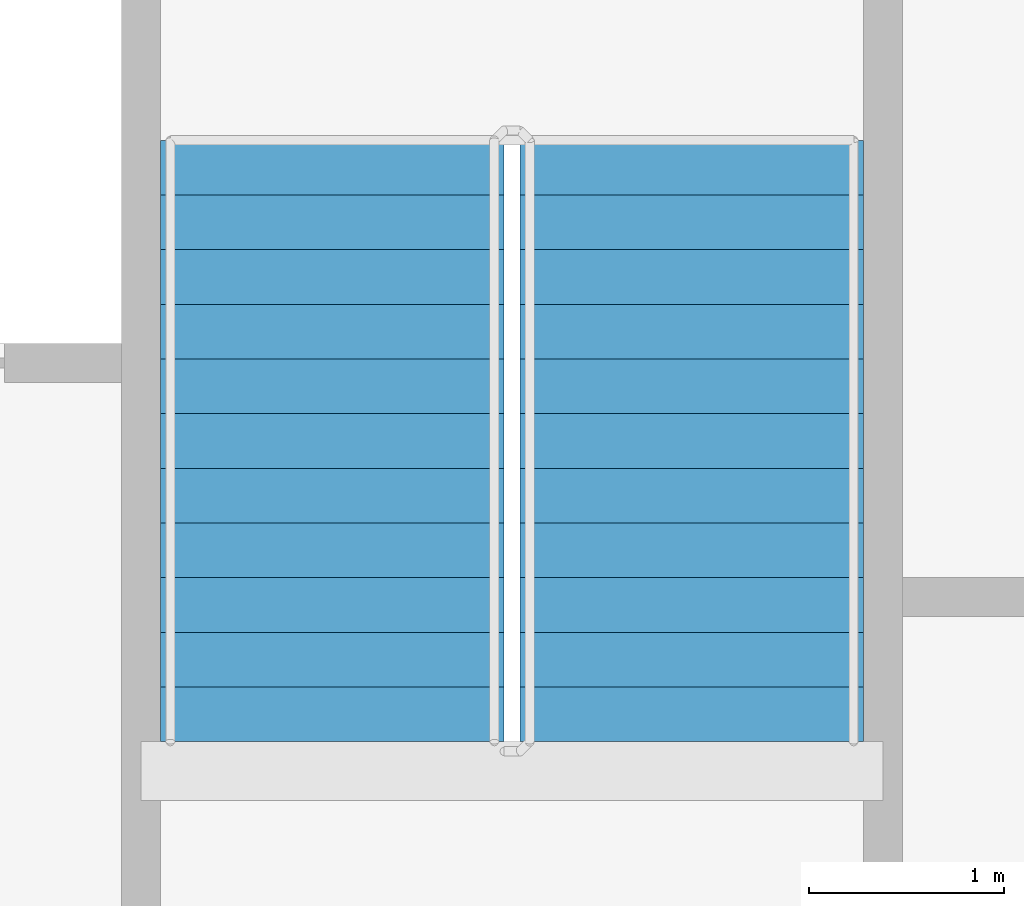
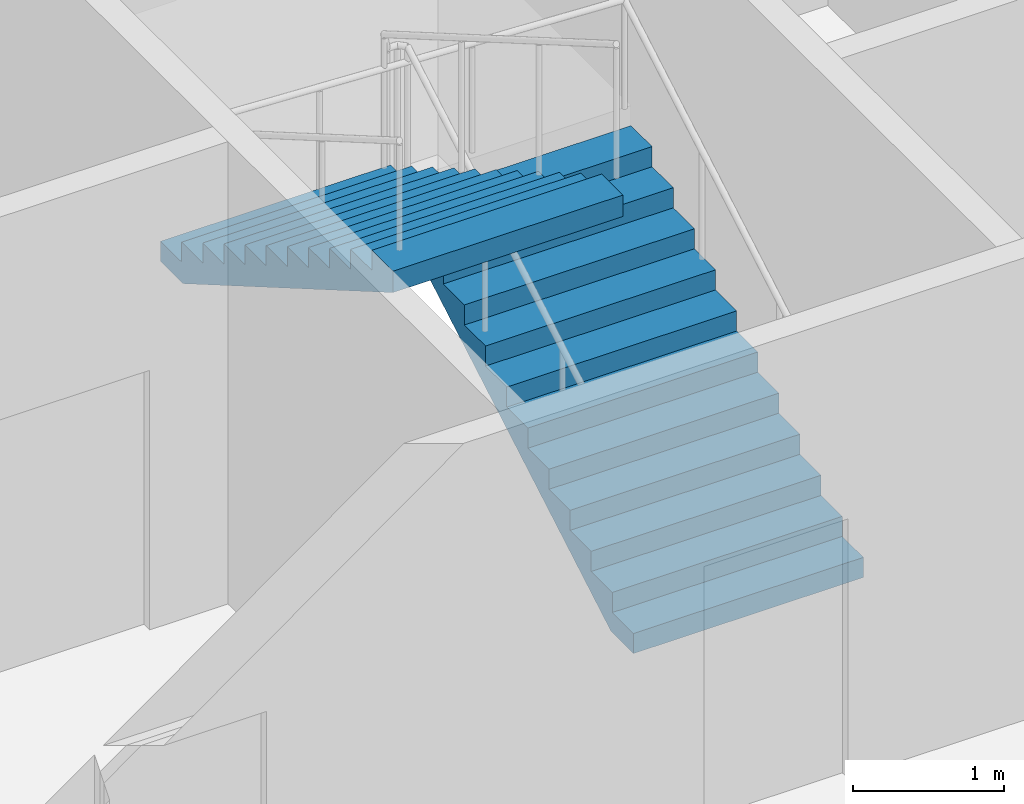
# One storey, part 10 of 15: 2 stair flights, 1 element without a shape of its own.
"""IFC4 building model written with IfcOpenShell, lengths in metres."""

from ifc_helpers import new_model, si_unit, direction, frame, origin, place, context, subcontext, project, spatial, faceted_brep, material, type_object, element, aggregate, save


model = new_model("IFC4")

# Units and contexts
model_context = context("Model", 3, precision=1e-05, world=origin(), true_north=direction((0.0, 1.0)))
body_context = subcontext(model_context, "Body", "Model", "MODEL_VIEW")
ifc_project = project(units=[si_unit("LENGTHUNIT", "METRE"), si_unit("AREAUNIT", "SQUARE_METRE"), si_unit("VOLUMEUNIT", "CUBIC_METRE"), si_unit("PLANEANGLEUNIT", "RADIAN"), si_unit("MASSUNIT", "GRAM", prefix="KILO")], contexts=[model_context])

# Site, building, storey
site_placement = place(None, origin())
site = spatial("IfcSite", under=ifc_project, at=site_placement, CompositionType="ELEMENT")
building_placement = place(site_placement, origin())
building = spatial("IfcBuilding", under=site, at=building_placement, Name="Tarsis Ring Headquarters", CompositionType="ELEMENT")
storey_placement = place(building_placement, frame((0.0, 0.0, 219.89990234375)))
storey = spatial("IfcBuildingStorey", under=building, at=storey_placement, Name="L51", CompositionType="ELEMENT", Elevation=219.89990234375)

# Stair, stair flights
ifc_material_1 = material(Name="Core stair 1760")
stair_type = type_object("IfcStairType", Name="Core stair 1760", PredefinedType="HALF_TURN_STAIR", material=ifc_material_1)
stair_placement = place(storey_placement, origin())
stair = element("IfcStair", 1, at=stair_placement, inside=storey, type_object=stair_type, Name="L51 Exit stair B", PredefinedType="HALF_TURN_STAIR")
ifc_material_2 = material(Name="Concrete C40/50", Category="concrete")
stair_flight_type = type_object("IfcStairFlightType", Name="Core stair flight 1760", PredefinedType="STRAIGHT", material=ifc_material_2)
stair_flight_1_placement = place(storey_placement, frame((5.419921875, 3.659912109375, 0.0), z_axis=(0.0, 0.0, 1.0), x_axis=(0.0, 1.0, 0.0)))
stair_flight_1 = element("IfcStairFlight", 2, at=stair_flight_1_placement, type_object=stair_flight_type, Name="Stair ST2 flight 1", NumberOfRisers=12, NumberOfTreads=11, PredefinedType="STRAIGHT", RiserHeight=0.1625, TreadLength=0.28, context=body_context, shape_type="Brep", body=[
    faceted_brep([(0.0, 0.8798828125, 0.0), (0.0, 0.8798828125, 0.16259765625), (0.280029296875, 0.8798828125, 0.16259765625), (0.280029296875, 0.8798828125, 0.324951171875), (0.56005859375, 0.8798828125, 0.324951171875), (0.56005859375, 0.8798828125, 0.487548828125), (0.840087890625, 0.8798828125, 0.487548828125), (0.840087890625, 0.8798828125, 0.64990234375), (1.1201171875, 0.8798828125, 0.64990234375), (1.1201171875, 0.8798828125, 0.8125), (1.39990234375, 0.8798828125, 0.8125), (1.39990234375, 0.8798828125, 0.97509765625), (1.679931640625, 0.8798828125, 0.97509765625), (1.679931640625, 0.8798828125, 1.137451171875), (1.9599609375, 0.8798828125, 1.137451171875), (1.9599609375, 0.8798828125, 1.300048828125), (2.239990234375, 0.8798828125, 1.300048828125), (2.239990234375, 0.8798828125, 1.46240234375), (2.52001953125, 0.8798828125, 1.46240234375), (2.52001953125, 0.8798828125, 1.625), (2.800048828125, 0.8798828125, 1.625), (2.800048828125, 0.8798828125, 1.78759765625), (3.080078125, 0.8798828125, 1.78759765625), (3.080078125, 0.8798828125, 1.6142578125), (0.298583984375, 0.8798828125, 0.0), (0.298583984375, -0.8798828125, 0.0), (3.080078125, -0.8798828125, 1.6142578125), (3.080078125, -0.8798828125, 1.78759765625), (2.800048828125, -0.8798828125, 1.78759765625), (2.800048828125, -0.8798828125, 1.625), (2.52001953125, -0.8798828125, 1.625), (2.52001953125, -0.8798828125, 1.46240234375), (2.239990234375, -0.8798828125, 1.46240234375), (2.239990234375, -0.8798828125, 1.300048828125), (1.9599609375, -0.8798828125, 1.300048828125), (1.9599609375, -0.8798828125, 1.137451171875), (1.679931640625, -0.8798828125, 1.137451171875), (1.679931640625, -0.8798828125, 0.97509765625), (1.39990234375, -0.8798828125, 0.97509765625), (1.39990234375, -0.8798828125, 0.8125), (1.1201171875, -0.8798828125, 0.8125), (1.1201171875, -0.8798828125, 0.64990234375), (0.840087890625, -0.8798828125, 0.64990234375), (0.840087890625, -0.8798828125, 0.487548828125), (0.56005859375, -0.8798828125, 0.487548828125), (0.56005859375, -0.8798828125, 0.324951171875), (0.280029296875, -0.8798828125, 0.324951171875), (0.280029296875, -0.8798828125, 0.16259765625), (0.0, -0.8798828125, 0.16259765625), (0.0, -0.8798828125, 0.0), (0.0, -0.43994140625, 0.16259765625), (0.0, -0.43994140625, 0.0), (0.0, 0.0, 0.16259765625), (0.0, 0.0, 0.0), (0.0, 0.43994140625, 0.16259765625), (0.0, 0.43994140625, 0.0), (0.280029296875, -0.43994140625, 0.16259765625), (0.280029296875, 0.0, 0.16259765625), (0.280029296875, 0.43994140625, 0.16259765625), (0.280029296875, -0.43994140625, 0.324951171875), (0.280029296875, 0.0, 0.324951171875), (0.280029296875, 0.43994140625, 0.324951171875), (0.56005859375, -0.43994140625, 0.324951171875), (0.56005859375, 0.0, 0.324951171875), (0.56005859375, 0.43994140625, 0.324951171875), (0.56005859375, -0.43994140625, 0.487548828125), (0.56005859375, 0.0, 0.487548828125), (0.56005859375, 0.43994140625, 0.487548828125), (0.840087890625, -0.43994140625, 0.487548828125), (0.840087890625, 0.0, 0.487548828125), (0.840087890625, 0.43994140625, 0.487548828125), (0.840087890625, -0.43994140625, 0.64990234375), (0.840087890625, 0.0, 0.64990234375), (0.840087890625, 0.43994140625, 0.64990234375), (1.1201171875, -0.43994140625, 0.64990234375), (1.1201171875, 0.0, 0.64990234375), (1.1201171875, 0.43994140625, 0.64990234375), (1.1201171875, -0.43994140625, 0.8125), (1.1201171875, 0.0, 0.8125), (1.1201171875, 0.43994140625, 0.8125), (1.39990234375, -0.43994140625, 0.8125), (1.39990234375, 0.0, 0.8125), (1.39990234375, 0.43994140625, 0.8125), (1.39990234375, -0.43994140625, 0.97509765625), (1.39990234375, 0.0, 0.97509765625), (1.39990234375, 0.43994140625, 0.97509765625), (1.679931640625, -0.43994140625, 0.97509765625), (1.679931640625, 0.0, 0.97509765625), (1.679931640625, 0.43994140625, 0.97509765625), (1.679931640625, -0.43994140625, 1.137451171875), (1.679931640625, 0.0, 1.137451171875), (1.679931640625, 0.43994140625, 1.137451171875), (1.9599609375, -0.43994140625, 1.137451171875), (1.9599609375, 0.0, 1.137451171875), (1.9599609375, 0.43994140625, 1.137451171875), (1.9599609375, -0.43994140625, 1.300048828125), (1.9599609375, 0.0, 1.300048828125), (1.9599609375, 0.43994140625, 1.300048828125), (2.239990234375, -0.43994140625, 1.300048828125), (2.239990234375, 0.0, 1.300048828125), (2.239990234375, 0.43994140625, 1.300048828125), (2.239990234375, -0.43994140625, 1.46240234375), (2.239990234375, 0.0, 1.46240234375), (2.239990234375, 0.43994140625, 1.46240234375), (2.52001953125, -0.43994140625, 1.46240234375), (2.52001953125, 0.0, 1.46240234375), (2.52001953125, 0.43994140625, 1.46240234375), (2.52001953125, -0.43994140625, 1.625), (2.52001953125, 0.0, 1.625), (2.52001953125, 0.43994140625, 1.625), (2.800048828125, -0.43994140625, 1.625), (2.800048828125, 0.0, 1.625), (2.800048828125, 0.43994140625, 1.625), (2.800048828125, -0.43994140625, 1.78759765625), (2.800048828125, 0.0, 1.78759765625), (2.800048828125, 0.43994140625, 1.78759765625), (3.080078125, -0.43994140625, 1.78759765625), (3.080078125, 0.0, 1.78759765625), (3.080078125, 0.43994140625, 1.78759765625), (3.080078125, -0.43994140625, 1.6142578125), (3.080078125, 0.0, 1.6142578125), (3.080078125, 0.43994140625, 1.6142578125), (0.298583984375, -0.43994140625, 0.0), (0.298583984375, 0.0, 0.0), (0.298583984375, 0.43994140625, 0.0)], [[[0, 1, 2, 3, 4, 5, 6, 7, 8, 9, 10, 11, 12, 13, 14, 15, 16, 17, 18, 19, 20, 21, 22, 23, 24]], [[25, 26, 27, 28, 29, 30, 31, 32, 33, 34, 35, 36, 37, 38, 39, 40, 41, 42, 43, 44, 45, 46, 47, 48, 49]], [[49, 48, 50, 51]], [[51, 50, 52, 53]], [[53, 52, 54, 55]], [[55, 54, 1, 0]], [[48, 47, 56, 50]], [[50, 56, 57, 52]], [[52, 57, 58, 54]], [[54, 58, 2, 1]], [[47, 46, 59, 56]], [[56, 59, 60, 57]], [[57, 60, 61, 58]], [[58, 61, 3, 2]], [[46, 45, 62, 59]], [[59, 62, 63, 60]], [[60, 63, 64, 61]], [[61, 64, 4, 3]], [[45, 44, 65, 62]], [[62, 65, 66, 63]], [[63, 66, 67, 64]], [[64, 67, 5, 4]], [[44, 43, 68, 65]], [[65, 68, 69, 66]], [[66, 69, 70, 67]], [[67, 70, 6, 5]], [[43, 42, 71, 68]], [[68, 71, 72, 69]], [[69, 72, 73, 70]], [[70, 73, 7, 6]], [[42, 41, 74, 71]], [[71, 74, 75, 72]], [[72, 75, 76, 73]], [[73, 76, 8, 7]], [[41, 40, 77, 74]], [[74, 77, 78, 75]], [[75, 78, 79, 76]], [[76, 79, 9, 8]], [[40, 39, 80, 77]], [[77, 80, 81, 78]], [[78, 81, 82, 79]], [[79, 82, 10, 9]], [[39, 38, 83, 80]], [[80, 83, 84, 81]], [[81, 84, 85, 82]], [[82, 85, 11, 10]], [[38, 37, 86, 83]], [[83, 86, 87, 84]], [[84, 87, 88, 85]], [[85, 88, 12, 11]], [[37, 36, 89, 86]], [[86, 89, 90, 87]], [[87, 90, 91, 88]], [[88, 91, 13, 12]], [[36, 35, 92, 89]], [[89, 92, 93, 90]], [[90, 93, 94, 91]], [[91, 94, 14, 13]], [[35, 34, 95, 92]], [[92, 95, 96, 93]], [[93, 96, 97, 94]], [[94, 97, 15, 14]], [[34, 33, 98, 95]], [[95, 98, 99, 96]], [[96, 99, 100, 97]], [[97, 100, 16, 15]], [[33, 32, 101, 98]], [[98, 101, 102, 99]], [[99, 102, 103, 100]], [[100, 103, 17, 16]], [[32, 31, 104, 101]], [[101, 104, 105, 102]], [[102, 105, 106, 103]], [[103, 106, 18, 17]], [[31, 30, 107, 104]], [[104, 107, 108, 105]], [[105, 108, 109, 106]], [[106, 109, 19, 18]], [[30, 29, 110, 107]], [[107, 110, 111, 108]], [[108, 111, 112, 109]], [[109, 112, 20, 19]], [[29, 28, 113, 110]], [[110, 113, 114, 111]], [[111, 114, 115, 112]], [[112, 115, 21, 20]], [[28, 27, 116, 113]], [[113, 116, 117, 114]], [[114, 117, 118, 115]], [[115, 118, 22, 21]], [[27, 26, 119, 116]], [[116, 119, 120, 117]], [[117, 120, 121, 118]], [[118, 121, 23, 22]], [[26, 25, 122, 119]], [[119, 122, 123, 120]], [[120, 123, 124, 121]], [[121, 124, 24, 23]], [[25, 49, 51, 122]], [[122, 51, 53, 123]], [[123, 53, 55, 124]], [[124, 55, 0, 24]]]),
])
stair_flight_2_placement = place(storey_placement, frame((3.580078125, 6.739990234375, 1.9501953125), z_axis=(0.0, 0.0, 1.0), x_axis=(0.0, -1.0, 0.0)))
stair_flight_2 = element("IfcStairFlight", 3, at=stair_flight_2_placement, type_object=stair_flight_type, Name="Stair ST2 flight 2", NumberOfRisers=12, NumberOfTreads=11, PredefinedType="STRAIGHT", RiserHeight=0.1625, TreadLength=0.28, context=body_context, shape_type="Brep", body=[
    faceted_brep([(0.0, 0.8798828125, 0.0), (0.0, 0.8798828125, 0.16259765625), (0.280029296875, 0.8798828125, 0.16259765625), (0.280029296875, 0.8798828125, 0.324951171875), (0.56005859375, 0.8798828125, 0.324951171875), (0.56005859375, 0.8798828125, 0.487548828125), (0.840087890625, 0.8798828125, 0.487548828125), (0.840087890625, 0.8798828125, 0.64990234375), (1.1201171875, 0.8798828125, 0.64990234375), (1.1201171875, 0.8798828125, 0.8125), (1.39990234375, 0.8798828125, 0.8125), (1.39990234375, 0.8798828125, 0.97509765625), (1.679931640625, 0.8798828125, 0.97509765625), (1.679931640625, 0.8798828125, 1.137451171875), (1.9599609375, 0.8798828125, 1.137451171875), (1.9599609375, 0.8798828125, 1.300048828125), (2.239990234375, 0.8798828125, 1.300048828125), (2.239990234375, 0.8798828125, 1.46240234375), (2.52001953125, 0.8798828125, 1.46240234375), (2.52001953125, 0.8798828125, 1.625), (2.800048828125, 0.8798828125, 1.625), (2.800048828125, 0.8798828125, 1.78759765625), (3.080078125, 0.8798828125, 1.78759765625), (3.080078125, 0.8798828125, 1.6142578125), (0.298583984375, 0.8798828125, 0.0), (0.298583984375, -0.8798828125, 0.0), (3.080078125, -0.8798828125, 1.6142578125), (3.080078125, -0.8798828125, 1.78759765625), (2.800048828125, -0.8798828125, 1.78759765625), (2.800048828125, -0.8798828125, 1.625), (2.52001953125, -0.8798828125, 1.625), (2.52001953125, -0.8798828125, 1.46240234375), (2.239990234375, -0.8798828125, 1.46240234375), (2.239990234375, -0.8798828125, 1.300048828125), (1.9599609375, -0.8798828125, 1.300048828125), (1.9599609375, -0.8798828125, 1.137451171875), (1.679931640625, -0.8798828125, 1.137451171875), (1.679931640625, -0.8798828125, 0.97509765625), (1.39990234375, -0.8798828125, 0.97509765625), (1.39990234375, -0.8798828125, 0.8125), (1.1201171875, -0.8798828125, 0.8125), (1.1201171875, -0.8798828125, 0.64990234375), (0.840087890625, -0.8798828125, 0.64990234375), (0.840087890625, -0.8798828125, 0.487548828125), (0.56005859375, -0.8798828125, 0.487548828125), (0.56005859375, -0.8798828125, 0.324951171875), (0.280029296875, -0.8798828125, 0.324951171875), (0.280029296875, -0.8798828125, 0.16259765625), (0.0, -0.8798828125, 0.16259765625), (0.0, -0.8798828125, 0.0), (0.0, -0.43994140625, 0.16259765625), (0.0, -0.43994140625, 0.0), (0.0, 0.0, 0.16259765625), (0.0, 0.0, 0.0), (0.0, 0.43994140625, 0.16259765625), (0.0, 0.43994140625, 0.0), (0.280029296875, -0.43994140625, 0.16259765625), (0.280029296875, 0.0, 0.16259765625), (0.280029296875, 0.43994140625, 0.16259765625), (0.280029296875, -0.43994140625, 0.324951171875), (0.280029296875, 0.0, 0.324951171875), (0.280029296875, 0.43994140625, 0.324951171875), (0.56005859375, -0.43994140625, 0.324951171875), (0.56005859375, 0.0, 0.324951171875), (0.56005859375, 0.43994140625, 0.324951171875), (0.56005859375, -0.43994140625, 0.487548828125), (0.56005859375, 0.0, 0.487548828125), (0.56005859375, 0.43994140625, 0.487548828125), (0.840087890625, -0.43994140625, 0.487548828125), (0.840087890625, 0.0, 0.487548828125), (0.840087890625, 0.43994140625, 0.487548828125), (0.840087890625, -0.43994140625, 0.64990234375), (0.840087890625, 0.0, 0.64990234375), (0.840087890625, 0.43994140625, 0.64990234375), (1.1201171875, -0.43994140625, 0.64990234375), (1.1201171875, 0.0, 0.64990234375), (1.1201171875, 0.43994140625, 0.64990234375), (1.1201171875, -0.43994140625, 0.8125), (1.1201171875, 0.0, 0.8125), (1.1201171875, 0.43994140625, 0.8125), (1.39990234375, -0.43994140625, 0.8125), (1.39990234375, 0.0, 0.8125), (1.39990234375, 0.43994140625, 0.8125), (1.39990234375, -0.43994140625, 0.97509765625), (1.39990234375, 0.0, 0.97509765625), (1.39990234375, 0.43994140625, 0.97509765625), (1.679931640625, -0.43994140625, 0.97509765625), (1.679931640625, 0.0, 0.97509765625), (1.679931640625, 0.43994140625, 0.97509765625), (1.679931640625, -0.43994140625, 1.137451171875), (1.679931640625, 0.0, 1.137451171875), (1.679931640625, 0.43994140625, 1.137451171875), (1.9599609375, -0.43994140625, 1.137451171875), (1.9599609375, 0.0, 1.137451171875), (1.9599609375, 0.43994140625, 1.137451171875), (1.9599609375, -0.43994140625, 1.300048828125), (1.9599609375, 0.0, 1.300048828125), (1.9599609375, 0.43994140625, 1.300048828125), (2.239990234375, -0.43994140625, 1.300048828125), (2.239990234375, 0.0, 1.300048828125), (2.239990234375, 0.43994140625, 1.300048828125), (2.239990234375, -0.43994140625, 1.46240234375), (2.239990234375, 0.0, 1.46240234375), (2.239990234375, 0.43994140625, 1.46240234375), (2.52001953125, -0.43994140625, 1.46240234375), (2.52001953125, 0.0, 1.46240234375), (2.52001953125, 0.43994140625, 1.46240234375), (2.52001953125, -0.43994140625, 1.625), (2.52001953125, 0.0, 1.625), (2.52001953125, 0.43994140625, 1.625), (2.800048828125, -0.43994140625, 1.625), (2.800048828125, 0.0, 1.625), (2.800048828125, 0.43994140625, 1.625), (2.800048828125, -0.43994140625, 1.78759765625), (2.800048828125, 0.0, 1.78759765625), (2.800048828125, 0.43994140625, 1.78759765625), (3.080078125, -0.43994140625, 1.78759765625), (3.080078125, 0.0, 1.78759765625), (3.080078125, 0.43994140625, 1.78759765625), (3.080078125, -0.43994140625, 1.6142578125), (3.080078125, 0.0, 1.6142578125), (3.080078125, 0.43994140625, 1.6142578125), (0.298583984375, -0.43994140625, 0.0), (0.298583984375, 0.0, 0.0), (0.298583984375, 0.43994140625, 0.0)], [[[0, 1, 2, 3, 4, 5, 6, 7, 8, 9, 10, 11, 12, 13, 14, 15, 16, 17, 18, 19, 20, 21, 22, 23, 24]], [[25, 26, 27, 28, 29, 30, 31, 32, 33, 34, 35, 36, 37, 38, 39, 40, 41, 42, 43, 44, 45, 46, 47, 48, 49]], [[49, 48, 50, 51]], [[51, 50, 52, 53]], [[53, 52, 54, 55]], [[55, 54, 1, 0]], [[48, 47, 56, 50]], [[50, 56, 57, 52]], [[52, 57, 58, 54]], [[54, 58, 2, 1]], [[47, 46, 59, 56]], [[56, 59, 60, 57]], [[57, 60, 61, 58]], [[58, 61, 3, 2]], [[46, 45, 62, 59]], [[59, 62, 63, 60]], [[60, 63, 64, 61]], [[61, 64, 4, 3]], [[45, 44, 65, 62]], [[62, 65, 66, 63]], [[63, 66, 67, 64]], [[64, 67, 5, 4]], [[44, 43, 68, 65]], [[65, 68, 69, 66]], [[66, 69, 70, 67]], [[67, 70, 6, 5]], [[43, 42, 71, 68]], [[68, 71, 72, 69]], [[69, 72, 73, 70]], [[70, 73, 7, 6]], [[42, 41, 74, 71]], [[71, 74, 75, 72]], [[72, 75, 76, 73]], [[73, 76, 8, 7]], [[41, 40, 77, 74]], [[74, 77, 78, 75]], [[75, 78, 79, 76]], [[76, 79, 9, 8]], [[40, 39, 80, 77]], [[77, 80, 81, 78]], [[78, 81, 82, 79]], [[79, 82, 10, 9]], [[39, 38, 83, 80]], [[80, 83, 84, 81]], [[81, 84, 85, 82]], [[82, 85, 11, 10]], [[38, 37, 86, 83]], [[83, 86, 87, 84]], [[84, 87, 88, 85]], [[85, 88, 12, 11]], [[37, 36, 89, 86]], [[86, 89, 90, 87]], [[87, 90, 91, 88]], [[88, 91, 13, 12]], [[36, 35, 92, 89]], [[89, 92, 93, 90]], [[90, 93, 94, 91]], [[91, 94, 14, 13]], [[35, 34, 95, 92]], [[92, 95, 96, 93]], [[93, 96, 97, 94]], [[94, 97, 15, 14]], [[34, 33, 98, 95]], [[95, 98, 99, 96]], [[96, 99, 100, 97]], [[97, 100, 16, 15]], [[33, 32, 101, 98]], [[98, 101, 102, 99]], [[99, 102, 103, 100]], [[100, 103, 17, 16]], [[32, 31, 104, 101]], [[101, 104, 105, 102]], [[102, 105, 106, 103]], [[103, 106, 18, 17]], [[31, 30, 107, 104]], [[104, 107, 108, 105]], [[105, 108, 109, 106]], [[106, 109, 19, 18]], [[30, 29, 110, 107]], [[107, 110, 111, 108]], [[108, 111, 112, 109]], [[109, 112, 20, 19]], [[29, 28, 113, 110]], [[110, 113, 114, 111]], [[111, 114, 115, 112]], [[112, 115, 21, 20]], [[28, 27, 116, 113]], [[113, 116, 117, 114]], [[114, 117, 118, 115]], [[115, 118, 22, 21]], [[27, 26, 119, 116]], [[116, 119, 120, 117]], [[117, 120, 121, 118]], [[118, 121, 23, 22]], [[26, 25, 122, 119]], [[119, 122, 123, 120]], [[120, 123, 124, 121]], [[121, 124, 24, 23]], [[25, 49, 51, 122]], [[122, 51, 53, 123]], [[123, 53, 55, 124]], [[124, 55, 0, 24]]]),
])
aggregate(stair, [stair_flight_1, stair_flight_2])

save(model, "model.ifc")
